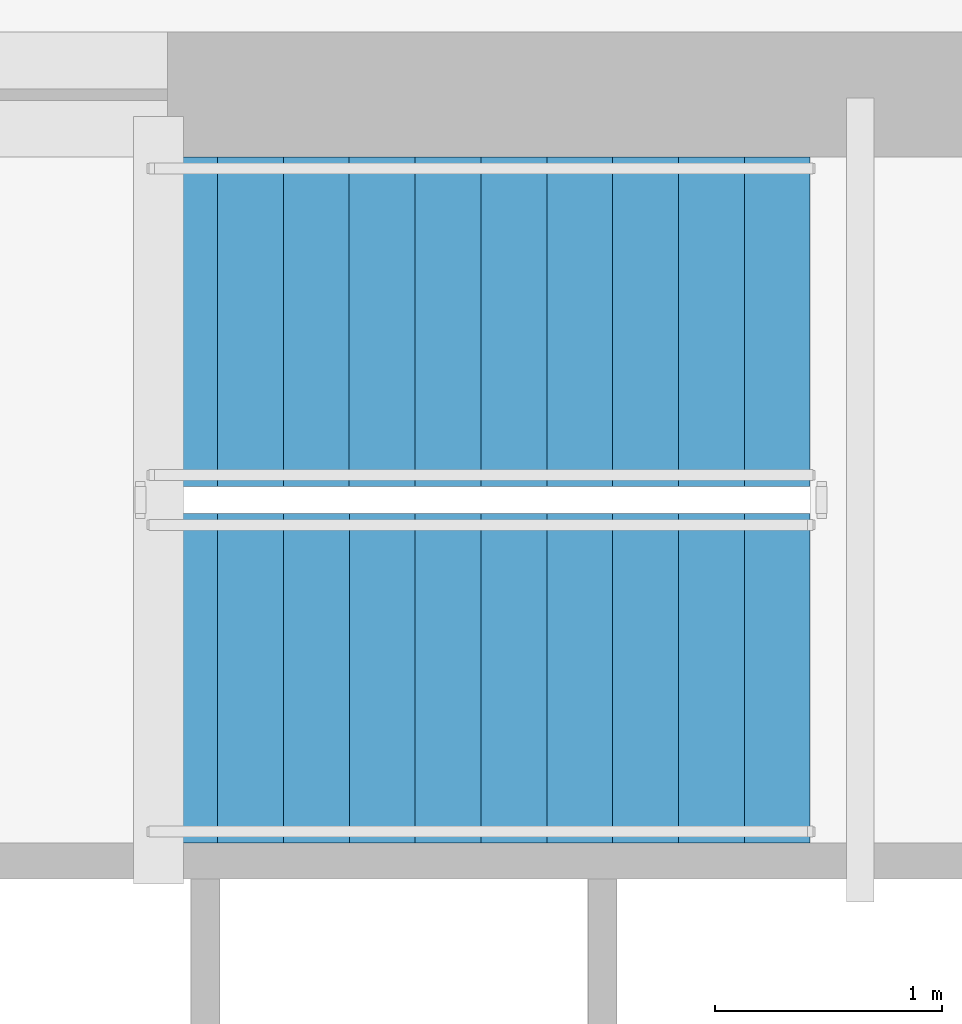
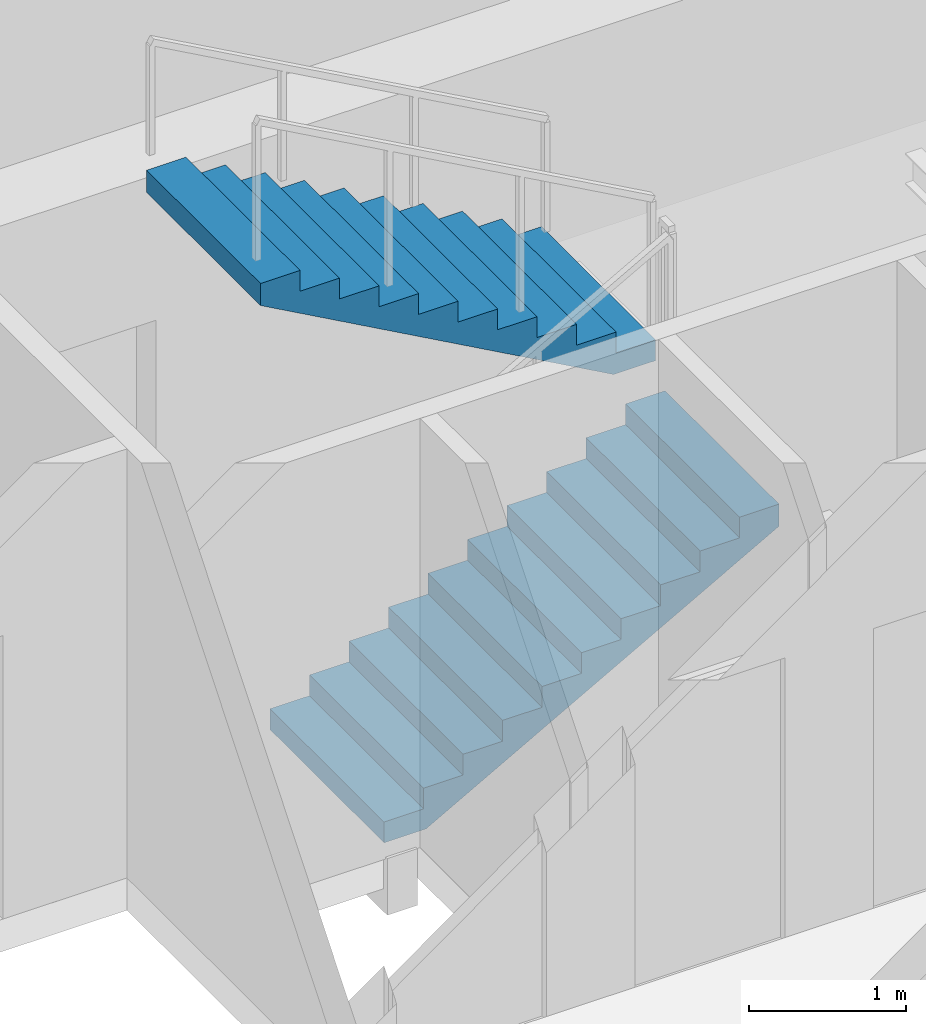
# One storey, part 12 of 15: 2 stair flights, 1 element without a shape of its own.
"""IFC4 building model written with IfcOpenShell, lengths in metres."""

import ifcopenshell
import ifcopenshell.guid

model = None  # the IFC model being written
_history = None  # IfcOwnerHistory: only IFC2X3 demands one
_inside = {}  # id of a spatial element -> (the spatial element, [elements in it])
_under = {}  # id of a project, library or spatial element -> (it, [spatial elements below it])
_declared = {}  # id of a project -> (the project, [libraries it declares])
_typed = {}  # id of a type object -> (the type object, [elements of that type])
_made_of = {}  # id of a material, layer set ... -> (it, [elements and type objects made of it])


def new_model(schema):
    """Start an empty IFC model of exactly this schema.

    Asked for "IFC4X3", IfcOpenShell would pick the latest addendum, in which some entities
    have other attributes; the version numbers below select the first issue.
    IFC2X3 requires an IfcOwnerHistory on every rooted entity: one is made here for all.
    """
    global model, _history
    if schema == "IFC4X3":
        model = ifcopenshell.file(schema_version=(4, 3, 0, 0))
    else:
        model = ifcopenshell.file(schema=schema)
    _inside.clear()
    _under.clear()
    _declared.clear()
    _typed.clear()
    _made_of.clear()
    _history = None
    if model.schema == "IFC2X3":
        org = make("IfcOrganization", Name="unknown")
        user = make(
            "IfcPersonAndOrganization",
            ThePerson=make("IfcPerson", FamilyName="unknown"),
            TheOrganization=org,
        )
        app = make(
            "IfcApplication",
            ApplicationDeveloper=org,
            Version="unknown",
            ApplicationFullName="unknown",
            ApplicationIdentifier="unknown",
        )
        _history = make(
            "IfcOwnerHistory",
            OwningUser=user,
            OwningApplication=app,
            ChangeAction="ADDED",
            CreationDate=0,
        )
    return model


def make(cls, **values):
    """One entity of the class cls with the attributes given. An attribute that is None is left unset."""
    return model.create_entity(
        cls, **{name: value for name, value in values.items() if value is not None}
    )


def rooted(cls, **values):
    """An entity with a GlobalId (a new one), such as an element, a storey or a relation."""
    return make(cls, GlobalId=ifcopenshell.guid.new(), OwnerHistory=_history, **values)


def si_unit(unit_type, name, prefix=None):
    """IfcSIUnit, for example si_unit("LENGTHUNIT", "METRE", prefix="MILLI")."""
    return make("IfcSIUnit", UnitType=unit_type, Prefix=prefix, Name=name)


def assignment(units):
    """IfcUnitAssignment: the units of a project."""
    return None if units is None else make("IfcUnitAssignment", Units=units)


def point(xyz):
    """IfcCartesianPoint."""
    return None if xyz is None else make("IfcCartesianPoint", Coordinates=xyz)


def direction(xyz):
    """IfcDirection."""
    return None if xyz is None else make("IfcDirection", DirectionRatios=xyz)


def frame(location, z_axis=None, x_axis=None):
    """IfcAxis2Placement3D, a coordinate frame: its origin and axes. An axis left out is left unset."""
    return make(
        "IfcAxis2Placement3D",
        Location=point(location),
        Axis=direction(z_axis),
        RefDirection=direction(x_axis),
    )


def origin():
    """The frame at (0, 0, 0) with its axes left unset."""
    return frame((0.0, 0.0, 0.0))


def place(relative_to, where):
    """IfcLocalPlacement: puts the frame where relative to a parent placement (None: the world)."""
    return make(
        "IfcLocalPlacement", PlacementRelTo=relative_to, RelativePlacement=where
    )


def context(
    kind, dimensions, precision=None, world=None, true_north=None, identifier=None
):
    """IfcGeometricRepresentationContext, for example the 3D "Model" context."""
    return make(
        "IfcGeometricRepresentationContext",
        ContextIdentifier=identifier,
        ContextType=kind,
        CoordinateSpaceDimension=dimensions,
        Precision=precision,
        WorldCoordinateSystem=world,
        TrueNorth=true_north,
    )


def subcontext(parent, identifier, kind, view, scale=None):
    """IfcGeometricRepresentationSubContext, for example "Body" below "Model"."""
    return make(
        "IfcGeometricRepresentationSubContext",
        ContextIdentifier=identifier,
        ContextType=kind,
        ParentContext=parent,
        TargetScale=scale,
        TargetView=view,
    )


def project(units=None, contexts=None):
    """IfcProject with its units and contexts."""
    return rooted(
        "IfcProject",
        Name="project",
        RepresentationContexts=contexts,
        UnitsInContext=assignment(units),
    )


def spatial(cls, under=None, at=None, **own):
    """A site, building, storey or space (cls), placed at a placement, below another one or the project."""
    s = rooted(cls, ObjectPlacement=at, **own)
    if under is not None:
        _under.setdefault(under.id(), (under, []))[1].append(s)
    return s


def polyline(points):
    """IfcPolyline through the points."""
    return make("IfcPolyline", Points=[point(p) for p in points])


def outline(outer, holes=None, kind="AREA"):
    """IfcArbitraryClosedProfileDef: a profile drawn as a closed curve; with holes, ...WithVoids."""
    if holes is None:
        return make("IfcArbitraryClosedProfileDef", ProfileType=kind, OuterCurve=outer)
    return make(
        "IfcArbitraryProfileDefWithVoids",
        ProfileType=kind,
        OuterCurve=outer,
        InnerCurves=holes,
    )


def extrude(swept, where, along, depth):
    """IfcExtrudedAreaSolid: the profile swept, set in the frame where, extruded along a direction by depth."""
    return make(
        "IfcExtrudedAreaSolid",
        SweptArea=swept,
        Position=where,
        ExtrudedDirection=direction(along),
        Depth=depth,
    )


def shape(context_of_items, identifier, shape_type, items):
    """IfcShapeRepresentation: the items that make up one representation, for example the "Body"."""
    return make(
        "IfcShapeRepresentation",
        ContextOfItems=context_of_items,
        RepresentationIdentifier=identifier,
        RepresentationType=shape_type,
        Items=items,
    )


def material(Name=None, Category=None):
    """IfcMaterial."""
    return make("IfcMaterial", Name=Name, Category=Category)


def made_of(thing, what):
    """Note that an element or type object is made of a material, layer set ...; save() writes the relation."""
    if what is not None:
        _made_of.setdefault(what.id(), (what, []))[1].append(thing)
    return thing


def type_object(cls, material=None, **own):
    """A type object (cls), such as IfcWallType, which elements share."""
    return made_of(rooted(cls, **own), material)


def element(
    cls,
    number,
    at=None,
    inside=None,
    cuts=None,
    type_object=None,
    material=None,
    context=None,
    identifier="Body",
    shape_type=None,
    held_by="IfcProductDefinitionShape",
    body=None,
    shapes=None,
    **own,
):
    """One element of the class cls, such as IfcWall. Its Tag is "e" and its number.

    at: its placement. inside: the storey or other place that contains it. cuts: it is an
    opening in that element (IfcRelVoidsElement). A single representation is given by context,
    identifier, shape_type and body (its items); several are given by shapes. held_by: the class
    of the entity that holds the representations. save() writes the other relations.
    """
    e = rooted(cls, Tag="e%d" % number, ObjectPlacement=at, **own)
    if body is not None:
        shapes = [shape(context, identifier, shape_type, body)]
    if shapes is not None:
        e.Representation = make(held_by, Representations=shapes)
    if inside is not None:
        _inside.setdefault(inside.id(), (inside, []))[1].append(e)
    if cuts is not None:
        rooted(
            "IfcRelVoidsElement", RelatingBuildingElement=cuts, RelatedOpeningElement=e
        )
    if type_object is not None:
        _typed.setdefault(type_object.id(), (type_object, []))[1].append(e)
    return made_of(e, material)


def aggregate(whole, parts):
    """IfcRelAggregates: a whole, such as a stair, and the parts it consists of."""
    return rooted("IfcRelAggregates", RelatingObject=whole, RelatedObjects=parts)


def save(model, path):
    """Write the relations noted so far, then the file.

    IfcRelAggregates (storeys below a building ...), IfcRelContainedInSpatialStructure (elements
    in a storey), IfcRelDefinesByType, IfcRelAssociatesMaterial and IfcRelDeclares: one each for
    every whole, place, type object, material and project.
    """
    for whole, parts in _under.values():
        aggregate(whole, parts)
    for where, things in _inside.values():
        rooted(
            "IfcRelContainedInSpatialStructure",
            RelatedElements=things,
            RelatingStructure=where,
        )
    for kind, things in _typed.values():
        rooted("IfcRelDefinesByType", RelatedObjects=things, RelatingType=kind)
    for what, things in _made_of.values():
        rooted("IfcRelAssociatesMaterial", RelatedObjects=things, RelatingMaterial=what)
    for by, libraries in _declared.values():
        rooted("IfcRelDeclares", RelatingContext=by, RelatedDefinitions=libraries)
    model.write(path)


model = new_model("IFC4")

# Units and contexts
model_context = context("Model", 3, precision=1e-05, world=origin(), true_north=direction((0.0, 1.0)))
body_context = subcontext(model_context, "Body", "Model", "MODEL_VIEW")
ifc_project = project(units=[si_unit("LENGTHUNIT", "METRE"), si_unit("AREAUNIT", "SQUARE_METRE"), si_unit("VOLUMEUNIT", "CUBIC_METRE"), si_unit("PLANEANGLEUNIT", "RADIAN"), si_unit("MASSUNIT", "GRAM", prefix="KILO")], contexts=[model_context])

# Site, building, storey
site_placement = place(None, origin())
site = spatial("IfcSite", under=ifc_project, at=site_placement, CompositionType="ELEMENT")
building_placement = place(site_placement, origin())
building = spatial("IfcBuilding", under=site, at=building_placement, Name="Olszyna Solenne Hotel", CompositionType="ELEMENT")
storey_placement = place(building_placement, frame((0.0, 0.0, 157.25)))
storey = spatial("IfcBuildingStorey", under=building, at=storey_placement, Name="L41", CompositionType="ELEMENT", Elevation=157.25)

# Stair, stair flights
ifc_material = material(Name="Concrete C40/50", Category="concrete")
stair_type = type_object("IfcStairType", Name="STR-C1", PredefinedType="TWO_QUARTER_WINDING_STAIR", material=ifc_material)
stair_placement = place(storey_placement, origin())
stair = element("IfcStair", 1, at=stair_placement, inside=storey, type_object=stair_type, Name="L41 ST3", PredefinedType="TWO_QUARTER_WINDING_STAIR")
stair_flight_type = type_object("IfcStairFlightType", Name="FLT-C1", PredefinedType="STRAIGHT", material=ifc_material)
stair_flight_1_placement = place(storey_placement, frame((34.72998046875, 31.405029296875, 0.0), z_axis=(0.0, 0.0, 1.0), x_axis=(1.0, 0.0, 0.0)))
stair_flight_1 = element("IfcStairFlight", 2, at=stair_flight_1_placement, type_object=stair_flight_type, Name="ST3 flight 1", NumberOfRisers=11, NumberOfTreads=10, PredefinedType="STRAIGHT", RiserHeight=0.161363636, TreadLength=0.29, context=body_context, shape_type="SweptSolid", body=[
    extrude(outline(polyline([(0.0, 0.0), (0.0, 0.161376953125), (0.2900390625, 0.161376953125), (0.2900390625, 0.32275390625), (0.580078125, 0.32275390625), (0.580078125, 0.484130859375), (0.8701171875, 0.484130859375), (0.8701171875, 0.6455078125), (1.159912109375, 0.6455078125), (1.159912109375, 0.806884765625), (1.449951171875, 0.806884765625), (1.449951171875, 0.96826171875), (1.739990234375, 0.96826171875), (1.739990234375, 1.129638671875), (2.030029296875, 1.129638671875), (2.030029296875, 1.291015625), (2.320068359375, 1.291015625), (2.320068359375, 1.452392578125), (2.610107421875, 1.452392578125), (2.610107421875, 1.613525390625), (2.89990234375, 1.613525390625), (2.89990234375, 1.77490234375), (2.89990234375, 1.442138671875), (0.308349609375, 0.0), (0.0, 0.0)])), frame((0.0, 0.72509765625, 0.0), z_axis=(0.0, -1.0, 0.0), x_axis=(1.0, 0.0, 0.0)), (0.0, 0.0, 1.0), 1.449951171875),
])
stair_flight_2_placement = place(storey_placement, frame((37.6298828125, 32.97509765625, 1.77490234375), z_axis=(0.0, 0.0, 1.0), x_axis=(-1.0, 0.0, 0.0)))
stair_flight_2 = element("IfcStairFlight", 3, at=stair_flight_2_placement, type_object=stair_flight_type, Name="ST3 flight 2", NumberOfRisers=11, NumberOfTreads=10, PredefinedType="STRAIGHT", RiserHeight=0.161363636, TreadLength=0.29, context=body_context, shape_type="SweptSolid", body=[
    extrude(outline(polyline([(0.0, 0.0), (0.0, 0.161376953125), (0.2900390625, 0.161376953125), (0.2900390625, 0.32275390625), (0.580078125, 0.32275390625), (0.580078125, 0.484130859375), (0.8701171875, 0.484130859375), (0.8701171875, 0.6455078125), (1.159912109375, 0.6455078125), (1.159912109375, 0.806884765625), (1.449951171875, 0.806884765625), (1.449951171875, 0.96826171875), (1.739990234375, 0.96826171875), (1.739990234375, 1.129638671875), (2.030029296875, 1.129638671875), (2.030029296875, 1.291015625), (2.320068359375, 1.291015625), (2.320068359375, 1.452392578125), (2.610107421875, 1.452392578125), (2.610107421875, 1.613525390625), (2.89990234375, 1.613525390625), (2.89990234375, 1.77490234375), (2.89990234375, 1.442138671875), (0.308349609375, 0.0), (0.0, 0.0)])), frame((0.0, 0.72509765625, 0.0), z_axis=(0.0, -1.0, 0.0), x_axis=(1.0, 0.0, 0.0)), (0.0, 0.0, 1.0), 1.449951171875),
])
aggregate(stair, [stair_flight_1, stair_flight_2])

save(model, "model.ifc")
